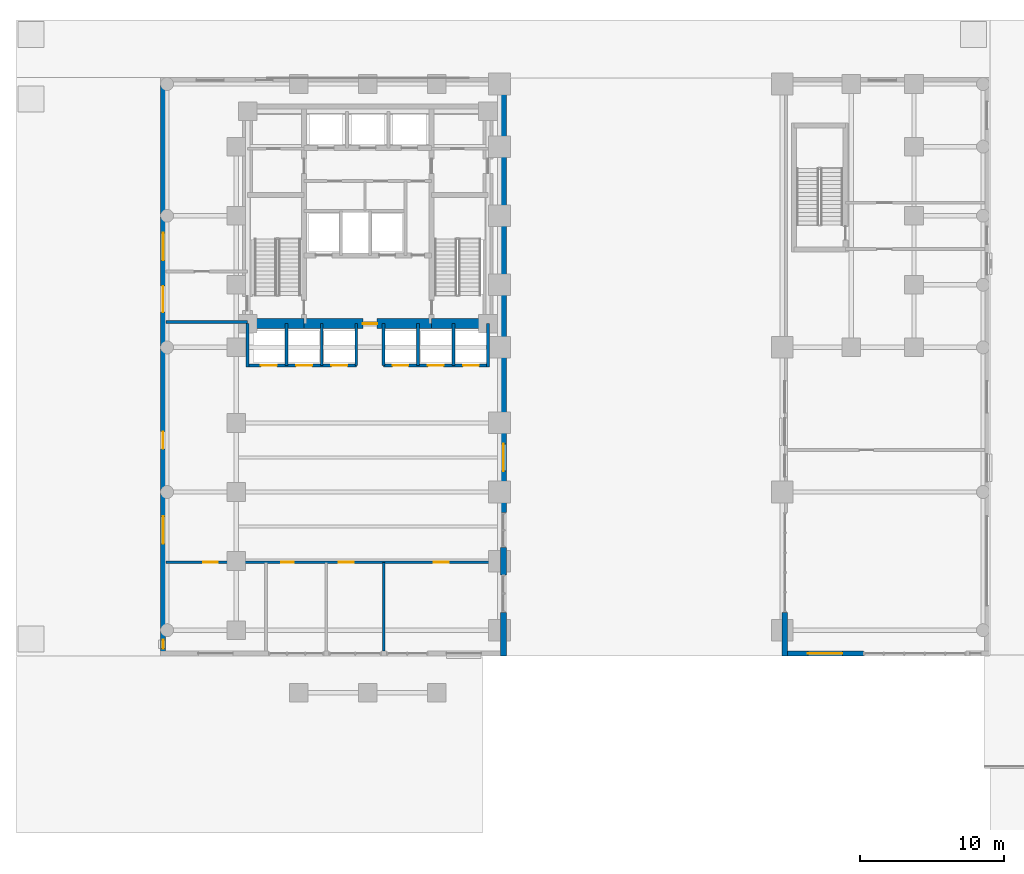
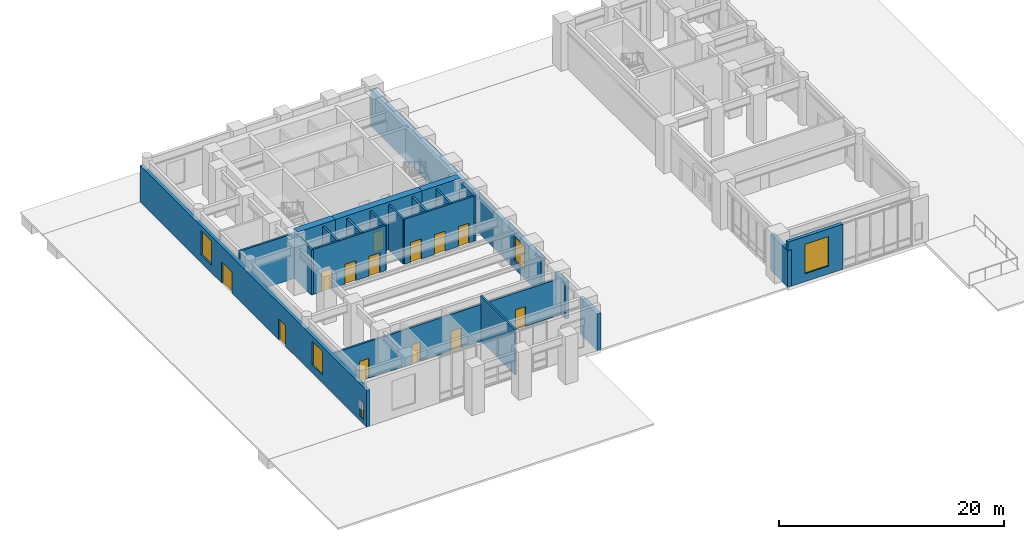
# One storey, part 8 of 16: 22 walls, 13 doors, 5 windows, 18 openings.
"""IFC4 building model written with IfcOpenShell, lengths in metres."""

from ifc_helpers import new_model, si_unit, direction, frame, frame_2d, origin, place, context, subcontext, project, spatial, rectangle, extrude, material, layer, layer_set, type_object, element, fill, save


model = new_model("IFC4")

# Units and contexts
model_context = context("Model", 3, precision=1e-05, world=origin(), true_north=direction((0.0, 1.0)))
body_context = subcontext(model_context, "Body", "Model", "MODEL_VIEW")
ifc_project = project(units=[si_unit("LENGTHUNIT", "METRE"), si_unit("AREAUNIT", "SQUARE_METRE"), si_unit("VOLUMEUNIT", "CUBIC_METRE"), si_unit("PLANEANGLEUNIT", "RADIAN"), si_unit("MASSUNIT", "GRAM", prefix="KILO")], contexts=[model_context])

# Site, building, storey
site_placement = place(None, origin())
site = spatial("IfcSite", under=ifc_project, at=site_placement, CompositionType="ELEMENT")
building_placement = place(site_placement, origin())
building = spatial("IfcBuilding", under=site, at=building_placement, Name="Orvandelia Arch Residences", CompositionType="ELEMENT")
storey_placement = place(building_placement, origin())
storey = spatial("IfcBuildingStorey", under=building, at=storey_placement, Name="L00", CompositionType="ELEMENT", Elevation=0.0)

# Wall, opening, window
ifc_material_1 = material(Name="Precast concrete C40/50", Category="concrete")
ifc_layer_1 = layer(ifc_material_1, 0.39990234375, Name="Precast concrete C40/50", Category="concrete")
ifc_layer_set_1 = layer_set([ifc_layer_1], Name="Precast concrete C40/50")
wall_type_1 = type_object("IfcWallType", Name="WL-ARCH-CHEEK-400", PredefinedType="SOLIDWALL", material=ifc_layer_set_1)
wall_1_placement = place(storey_placement, frame((23.824951171875, 48.0, 0.0), z_axis=(0.0, 0.0, 1.0), x_axis=(0.0, -1.0, 0.0)))
wall_1 = element("IfcWall", 1, at=wall_1_placement, inside=storey, type_object=wall_type_1, Name="Giant Arch Pier Cheek Wall L00-002", PredefinedType="SOLIDWALL", context=body_context, shape_type="SweptSolid", body=[
    extrude(rectangle(XDim=30.239990234375, YDim=0.39990234375, at=frame_2d((15.1201171875, 0.0))), origin(), (0.0, 0.0, 1.0), 3.969970703125),
])
opening_1_placement = place(wall_1_placement, frame((25.449951171875, 0.0, 0.85009765625)))
opening_1 = element("IfcOpeningElement", 2, at=opening_1_placement, cuts=wall_1, Name="Opening W7", PredefinedType="OPENING", context=body_context, shape_type="SweptSolid", body=[
    extrude(rectangle(XDim=1.89990234375, YDim=2.60009765625, at=frame_2d((0.949951171875, 1.300048828125))), frame((0.0, 0.2099609375, 0.0), z_axis=(0.0, -1.0, 0.0), x_axis=(1.0, 0.0, 0.0)), (0.0, 0.0, 1.0), 0.419921875),
])
ifc_material_2 = material(Name="Laminated Acoustic Double Glazing", Category="glass")
window_type_1 = type_object("IfcWindowType", Name="WIN-POD-1900x2600", PartitioningType="SINGLE_PANEL", PredefinedType="WINDOW", material=ifc_material_2)
window_1_placement = place(opening_1_placement, origin())
window_1 = element("IfcWindow", 3, at=window_1_placement, inside=storey, type_object=window_type_1, Name="Recessed Punched Window L00-002", OverallHeight=2.60009765625, OverallWidth=1.89990234375, PartitioningType="SINGLE_PANEL", PredefinedType="WINDOW", context=body_context, shape_type="SweptSolid", body=[
    extrude(rectangle(XDim=1.89990234375, YDim=2.60009765625, at=frame_2d((0.949951171875, 1.300048828125))), frame((0.0, 0.030029296875, 0.0), z_axis=(0.0, -1.0, 0.0), x_axis=(1.0, 0.0, 0.0)), (0.0, 0.0, 1.0), 0.06005859375),
])
fill(opening_1, window_1)

# Walls
wall_2_placement = place(storey_placement, frame((23.824951171875, 15.35009765625, 0.0), z_axis=(0.0, 0.0, 1.0), x_axis=(0.0, -1.0, 0.0)))
element("IfcWall", 4, at=wall_2_placement, inside=storey, type_object=wall_type_1, Name="Giant Arch Pier Cheek Wall L00-003", PredefinedType="SOLIDWALL", context=body_context, shape_type="SweptSolid", body=[
    extrude(rectangle(XDim=1.900146484375, YDim=0.39990234375, at=frame_2d((0.9501953125, 0.0))), origin(), (0.0, 0.0, 1.0), 3.969970703125),
])
for number, where, z_axis, x_axis, name in (
    (5, (23.824951171875, 10.840087890625, 0.0), (0.0, 0.0, 1.0), (0.0, -1.0, 0.0), "Giant Arch Pier Cheek Wall L00-004"),
    (6, (43.375, 7.800048828125, 0.0), (0.0, 0.0, 1.0), (0.0, 1.0, 0.0), "Giant Arch Pier Cheek Wall L00-014"),
):
    element("IfcWall", number, at=place(storey_placement, frame(where, z_axis=z_axis, x_axis=x_axis)), inside=storey, type_object=wall_type_1, Name=name, PredefinedType="SOLIDWALL", context=body_context, shape_type="SweptSolid", body=[
        extrude(rectangle(XDim=3.0400390625, YDim=0.39990234375, at=frame_2d((1.52001953125, 0.0))), origin(), (0.0, 0.0, 1.0), 3.969970703125),
    ])
ifc_material_3 = material(Name="Concrete C80/95", Category="concrete")
ifc_layer_2 = layer(ifc_material_3, 0.699951171875, Name="Concrete C80/95", Category="concrete")
ifc_layer_set_2 = layer_set([ifc_layer_2], Name="Concrete C80/95")
wall_type_2 = type_object("IfcWallType", Name="WL-CORE-700", PredefinedType="SHEAR", material=ifc_layer_set_2)
wall_3_placement = place(storey_placement, frame((6.050048828125, 30.89990234375, 0.0), z_axis=(0.0, 0.0, 1.0), x_axis=(1.0, 0.0, 0.0)))
element("IfcWall", 7, at=wall_3_placement, inside=storey, type_object=wall_type_2, Name="Core Shear Wall L00-SW", PredefinedType="SHEAR", context=body_context, shape_type="SweptSolid", body=[
    extrude(rectangle(XDim=3.909912109375, YDim=0.699951171875, at=frame_2d((1.955078125, 0.0))), origin(), (0.0, 0.0, 1.0), 5.199951171875),
])

# Wall, opening, door
wall_4_placement = place(storey_placement, frame((9.9599609375, 30.89990234375, 0.0), z_axis=(0.0, 0.0, 1.0), x_axis=(1.0, 0.0, 0.0)))
wall_4 = element("IfcWall", 8, at=wall_4_placement, inside=storey, type_object=wall_type_2, Name="Core Shear Wall L00-SM", PredefinedType="SHEAR", context=body_context, shape_type="SweptSolid", body=[
    extrude(rectangle(XDim=8.880126953125, YDim=0.699951171875, at=frame_2d((4.43994140625, 0.0))), origin(), (0.0, 0.0, 1.0), 5.199951171875),
])
opening_2_placement = place(wall_4_placement, frame((4.090087890625, 0.0, 0.0)))
opening_2 = element("IfcOpeningElement", 9, at=opening_2_placement, cuts=wall_4, Name="Opening D6", PredefinedType="OPENING", context=body_context, shape_type="SweptSolid", body=[
    extrude(rectangle(XDim=1.0, YDim=2.14990234375, at=frame_2d((0.5, 1.074951171875))), frame((0.0, 0.35986328125, 0.0), z_axis=(0.0, -1.0, 0.0), x_axis=(1.0, 0.0, 0.0)), (0.0, 0.0, 1.0), 0.719970703125),
])
ifc_material_4 = material(Name="Smokeproof Painted Steel Fire Door", Category="steel")
door_type_1 = type_object("IfcDoorType", Name="DR-FD60-1000", OperationType="NOTDEFINED", PredefinedType="DOOR", material=ifc_material_4)
door_1_placement = place(opening_2_placement, origin())
door_1 = element("IfcDoor", 10, at=door_1_placement, inside=storey, type_object=door_type_1, Name="Firefighting Lobby Smokeproof Door L00", OperationType="SINGLE_SWING_LEFT", OverallHeight=2.14990234375, OverallWidth=1.0, PredefinedType="DOOR", context=body_context, shape_type="SweptSolid", body=[
    extrude(rectangle(XDim=1.0, YDim=2.14990234375, at=frame_2d((0.5, 1.074951171875))), frame((0.0, 0.02490234375, 0.0), z_axis=(0.0, -1.0, 0.0), x_axis=(1.0, 0.0, 0.0)), (0.0, 0.0, 1.0), 0.050048828125),
])
fill(opening_2, door_1)

# Wall
wall_5_placement = place(storey_placement, frame((18.840087890625, 30.89990234375, 0.0), z_axis=(0.0, 0.0, 1.0), x_axis=(1.0, 0.0, 0.0)))
element("IfcWall", 11, at=wall_5_placement, inside=storey, type_object=wall_type_2, Name="Core Shear Wall L00-SE", PredefinedType="SHEAR", context=body_context, shape_type="SweptSolid", body=[
    extrude(rectangle(XDim=3.909912109375, YDim=0.699951171875, at=frame_2d((1.955078125, 0.0))), origin(), (0.0, 0.0, 1.0), 5.199951171875),
])

# Wall, openings, doors
ifc_material_5 = material(Name="Fire-Rated Corridor Partition")
ifc_layer_3 = layer(ifc_material_5, 0.199951171875, Name="Fire-Rated Corridor Partition")
ifc_layer_set_3 = layer_set([ifc_layer_3], Name="Fire-Rated Corridor Partition")
wall_type_3 = type_object("IfcWallType", Name="WL-CORR-200", PredefinedType="PARTITIONING", material=ifc_layer_set_3)
wall_6_placement = place(storey_placement, frame((0.360107421875, 14.320068359375, 0.0), z_axis=(0.0, 0.0, 1.0), x_axis=(1.0, 0.0, 0.0)))
wall_6 = element("IfcWall", 12, at=wall_6_placement, inside=storey, type_object=wall_type_3, Name="Interior Partition Wall WL-L00-FCR-N", PredefinedType="PARTITIONING", context=body_context, shape_type="SweptSolid", body=[
    extrude(rectangle(XDim=23.260009765625, YDim=0.199951171875, at=frame_2d((11.6298828125, 0.0))), origin(), (0.0, 0.0, 1.0), 3.969970703125),
])
opening_3_placement = place(wall_6_placement, frame((2.6201171875, 0.0, 0.0)))
opening_3 = element("IfcOpeningElement", 13, at=opening_3_placement, cuts=wall_6, Name="Opening D6", PredefinedType="OPENING", context=body_context, shape_type="SweptSolid", body=[
    extrude(rectangle(XDim=1.0, YDim=2.14990234375, at=frame_2d((0.5, 1.074951171875))), frame((0.0, 0.10986328125, 0.0), z_axis=(0.0, -1.0, 0.0), x_axis=(1.0, 0.0, 0.0)), (0.0, 0.0, 1.0), 0.219970703125),
])
opening_4_placement = place(wall_6_placement, frame((8.02001953125, 0.0, 0.0)))
opening_4 = element("IfcOpeningElement", 14, at=opening_4_placement, cuts=wall_6, Name="Opening D4", PredefinedType="OPENING", context=body_context, shape_type="SweptSolid", body=[
    extrude(rectangle(XDim=0.860107421875, YDim=2.10009765625, at=frame_2d((0.43017578125, 1.050048828125))), frame((0.0, 0.10986328125, 0.0), z_axis=(0.0, -1.0, 0.0), x_axis=(1.0, 0.0, 0.0)), (0.0, 0.0, 1.0), 0.219970703125),
])
opening_5_placement = place(wall_6_placement, frame((12.02001953125, 0.0, 0.0)))
opening_5 = element("IfcOpeningElement", 15, at=opening_5_placement, cuts=wall_6, Name="Opening D8", PredefinedType="OPENING", context=body_context, shape_type="SweptSolid", body=[
    extrude(rectangle(XDim=1.0400390625, YDim=2.14990234375, at=frame_2d((0.52001953125, 1.074951171875))), frame((0.0, 0.10986328125, 0.0), z_axis=(0.0, -1.0, 0.0), x_axis=(1.0, 0.0, 0.0)), (0.0, 0.0, 1.0), 0.219970703125),
])
opening_6_placement = place(wall_6_placement, frame((18.6201171875, 0.0, 0.0)))
opening_6 = element("IfcOpeningElement", 16, at=opening_6_placement, cuts=wall_6, Name="Opening D8", PredefinedType="OPENING", context=body_context, shape_type="SweptSolid", body=[
    extrude(rectangle(XDim=1.0400390625, YDim=2.14990234375, at=frame_2d((0.52001953125, 1.074951171875))), frame((0.0, 0.10986328125, 0.0), z_axis=(0.0, -1.0, 0.0), x_axis=(1.0, 0.0, 0.0)), (0.0, 0.0, 1.0), 0.219970703125),
])
ifc_material_6 = material(Name="Accessible Wide-Leaf Washroom Door")
door_type_2 = type_object("IfcDoorType", Name="DR-ACC-1040", OperationType="NOTDEFINED", PredefinedType="DOOR", material=ifc_material_6)
door_2_placement = place(opening_5_placement, origin())
door_2 = element("IfcDoor", 17, at=door_2_placement, inside=storey, type_object=door_type_2, Name="DR-L00-WCA", OperationType="SINGLE_SWING_LEFT", OverallHeight=2.14990234375, OverallWidth=1.0400390625, PredefinedType="DOOR", context=body_context, shape_type="SweptSolid", body=[
    extrude(rectangle(XDim=1.0400390625, YDim=2.14990234375, at=frame_2d((0.52001953125, 1.074951171875))), frame((0.0, 0.02490234375, 0.0), z_axis=(0.0, -1.0, 0.0), x_axis=(1.0, 0.0, 0.0)), (0.0, 0.0, 1.0), 0.050048828125),
])
fill(opening_5, door_2)
door_3_placement = place(opening_6_placement, origin())
door_3 = element("IfcDoor", 18, at=door_3_placement, inside=storey, type_object=door_type_2, Name="DR-L00-CONC-IN", OperationType="SINGLE_SWING_LEFT", OverallHeight=2.14990234375, OverallWidth=1.0400390625, PredefinedType="DOOR", context=body_context, shape_type="SweptSolid", body=[
    extrude(rectangle(XDim=1.0400390625, YDim=2.14990234375, at=frame_2d((0.52001953125, 1.074951171875))), frame((0.0, 0.02490234375, 0.0), z_axis=(0.0, -1.0, 0.0), x_axis=(1.0, 0.0, 0.0)), (0.0, 0.0, 1.0), 0.050048828125),
])
fill(opening_6, door_3)
door_4_placement = place(opening_3_placement, origin())
door_4 = element("IfcDoor", 19, at=door_4_placement, inside=storey, type_object=door_type_1, Name="DR-L00-FCR-IN", OperationType="SINGLE_SWING_LEFT", OverallHeight=2.14990234375, OverallWidth=1.0, PredefinedType="DOOR", context=body_context, shape_type="SweptSolid", body=[
    extrude(rectangle(XDim=1.0, YDim=2.14990234375, at=frame_2d((0.5, 1.074951171875))), frame((0.0, 0.02490234375, 0.0), z_axis=(0.0, -1.0, 0.0), x_axis=(1.0, 0.0, 0.0)), (0.0, 0.0, 1.0), 0.050048828125),
])
fill(opening_3, door_4)
ifc_material_7 = material(Name="Moisture-Sealed Timber Bathroom Door", Category="wood")
door_type_3 = type_object("IfcDoorType", Name="DR-WET-900", OperationType="NOTDEFINED", PredefinedType="DOOR", material=ifc_material_7)
door_5_placement = place(opening_4_placement, origin())
door_5 = element("IfcDoor", 20, at=door_5_placement, inside=storey, type_object=door_type_3, Name="DR-L00-WCP", OperationType="SINGLE_SWING_RIGHT", OverallHeight=2.10009765625, OverallWidth=0.860107421875, PredefinedType="DOOR", context=body_context, shape_type="SweptSolid", body=[
    extrude(rectangle(XDim=0.860107421875, YDim=2.10009765625, at=frame_2d((0.43017578125, 1.050048828125))), frame((0.0, 0.02490234375, 0.0), z_axis=(0.0, -1.0, 0.0), x_axis=(1.0, 0.0, 0.0)), (0.0, 0.0, 1.0), 0.050048828125),
])
fill(opening_4, door_5)

# Wall
wall_7_placement = place(storey_placement, frame((0.360107421875, 31.02001953125, 0.0), z_axis=(0.0, 0.0, 1.0), x_axis=(1.0, 0.0, 0.0)))
element("IfcWall", 21, at=wall_7_placement, inside=storey, type_object=wall_type_3, Name="Interior Partition Wall WL-L00-EXP-S", PredefinedType="PARTITIONING", context=body_context, shape_type="SweptSolid", body=[
    extrude(rectangle(XDim=5.68994140625, YDim=0.199951171875, at=frame_2d((2.844970703125, 0.0))), origin(), (0.0, 0.0, 1.0), 4.889892578125),
])

# Wall, openings, doors, windows
ifc_layer_4 = layer(ifc_material_1, 0.35009765625, Name="Precast concrete C40/50", Category="concrete")
ifc_layer_set_4 = layer_set([ifc_layer_4], Name="Precast concrete C40/50")
wall_type_4 = type_object("IfcWallType", Name="WL-EXT-POD-350", PredefinedType="STANDARD", material=ifc_layer_set_4)
wall_8_placement = place(storey_placement, frame((0.175048828125, 7.800048828125, 0.0), z_axis=(0.0, 0.0, 1.0), x_axis=(0.0, 1.0, 0.0)))
wall_8 = element("IfcWall", 22, at=wall_8_placement, inside=storey, type_object=wall_type_4, Name="Coral-Limestone Precast Facade Wall L00-009", PredefinedType="STANDARD", context=body_context, shape_type="SweptSolid", body=[
    extrude(rectangle(XDim=40.199951171875, YDim=0.35009765625, at=frame_2d((20.10009765625, 0.0))), origin(), (0.0, 0.0, 1.0), 3.969970703125),
])
opening_7_placement = place(wall_8_placement, frame((23.89990234375, 0.0, 0.0)))
opening_7 = element("IfcOpeningElement", 23, at=opening_7_placement, cuts=wall_8, Name="Opening ED2", PredefinedType="OPENING", context=body_context, shape_type="SweptSolid", body=[
    extrude(rectangle(XDim=1.800048828125, YDim=2.300048828125, at=frame_2d((0.89990234375, 1.14990234375))), frame((0.0, 0.18505859375, 0.0), z_axis=(0.0, -1.0, 0.0), x_axis=(1.0, 0.0, 0.0)), (0.0, 0.0, 1.0), 0.3701171875),
])
opening_8_placement = place(wall_8_placement, frame((14.39990234375, 0.0, 0.0)))
opening_8 = element("IfcOpeningElement", 24, at=opening_8_placement, cuts=wall_8, Name="Opening ED3", PredefinedType="OPENING", context=body_context, shape_type="SweptSolid", body=[
    extrude(rectangle(XDim=1.199951171875, YDim=2.25, at=frame_2d((0.60009765625, 1.125))), frame((0.0, 0.18505859375, 0.0), z_axis=(0.0, -1.0, 0.0), x_axis=(1.0, 0.0, 0.0)), (0.0, 0.0, 1.0), 0.3701171875),
])
opening_9_placement = place(wall_8_placement, frame((7.800048828125, 0.0, 0.85009765625)))
opening_9 = element("IfcOpeningElement", 25, at=opening_9_placement, cuts=wall_8, Name="Opening W7", PredefinedType="OPENING", context=body_context, shape_type="SweptSolid", body=[
    extrude(rectangle(XDim=1.89990234375, YDim=2.60009765625, at=frame_2d((0.949951171875, 1.300048828125))), frame((0.0, 0.18505859375, 0.0), z_axis=(0.0, -1.0, 0.0), x_axis=(1.0, 0.0, 0.0)), (0.0, 0.0, 1.0), 0.3701171875),
])
opening_10_placement = place(wall_8_placement, frame((0.52490234375, 0.0, 0.449951171875)))
opening_10 = element("IfcOpeningElement", 26, at=opening_10_placement, cuts=wall_8, Name="Opening W12", PredefinedType="OPENING", context=body_context, shape_type="SweptSolid", body=[
    extrude(rectangle(XDim=0.60009765625, YDim=1.800048828125, at=frame_2d((0.300048828125, 0.89990234375))), frame((0.0, 0.18505859375, 0.0), z_axis=(0.0, -1.0, 0.0), x_axis=(1.0, 0.0, 0.0)), (0.0, 0.0, 1.0), 0.3701171875),
])
opening_11_placement = place(wall_8_placement, frame((27.5, 0.0, 0.85009765625)))
opening_11 = element("IfcOpeningElement", 27, at=opening_11_placement, cuts=wall_8, Name="Opening W7", PredefinedType="OPENING", context=body_context, shape_type="SweptSolid", body=[
    extrude(rectangle(XDim=1.89990234375, YDim=2.60009765625, at=frame_2d((0.949951171875, 1.300048828125))), frame((0.0, 0.18505859375, 0.0), z_axis=(0.0, -1.0, 0.0), x_axis=(1.0, 0.0, 0.0)), (0.0, 0.0, 1.0), 0.3701171875),
])
ifc_material_8 = material(Name="Painted Galvanised Steel Leaf", Category="steel")
door_type_4 = type_object("IfcDoorType", Name="DR-EXIT-DBL-1800", OperationType="NOTDEFINED", PredefinedType="DOOR", material=ifc_material_8)
door_6_placement = place(opening_7_placement, origin())
door_6 = element("IfcDoor", 28, at=door_6_placement, inside=storey, type_object=door_type_4, Name="West Stair Discharge Final Exit", OperationType="SINGLE_SWING_LEFT", OverallHeight=2.300048828125, OverallWidth=1.800048828125, PredefinedType="DOOR", context=body_context, shape_type="SweptSolid", body=[
    extrude(rectangle(XDim=1.800048828125, YDim=2.300048828125, at=frame_2d((0.89990234375, 1.14990234375))), frame((0.0, 0.02490234375, 0.0), z_axis=(0.0, -1.0, 0.0), x_axis=(1.0, 0.0, 0.0)), (0.0, 0.0, 1.0), 0.050048828125),
])
fill(opening_7, door_6)
door_type_5 = type_object("IfcDoorType", Name="DR-EXIT-SGL-1200", OperationType="NOTDEFINED", PredefinedType="DOOR", material=ifc_material_8)
door_7_placement = place(opening_8_placement, origin())
door_7 = element("IfcDoor", 29, at=door_7_placement, inside=storey, type_object=door_type_5, Name="West Lobby Secondary Exit", OperationType="SINGLE_SWING_RIGHT", OverallHeight=2.25, OverallWidth=1.199951171875, PredefinedType="DOOR", context=body_context, shape_type="SweptSolid", body=[
    extrude(rectangle(XDim=1.199951171875, YDim=2.25, at=frame_2d((0.60009765625, 1.125))), frame((0.0, 0.02490234375, 0.0), z_axis=(0.0, -1.0, 0.0), x_axis=(1.0, 0.0, 0.0)), (0.0, 0.0, 1.0), 0.050048828125),
])
fill(opening_8, door_7)
ifc_material_9 = material(Name="Tempered Low-E Insulated Glazing", Category="glass")
window_type_2 = type_object("IfcWindowType", Name="WIN-LAN-0600x1800", PartitioningType="SINGLE_PANEL", PredefinedType="WINDOW", material=ifc_material_9)
window_2_placement = place(opening_10_placement, origin())
window_2 = element("IfcWindow", 30, at=window_2_placement, inside=storey, type_object=window_type_2, Name="Recessed Punched Window L00-006", OverallHeight=1.800048828125, OverallWidth=0.60009765625, PartitioningType="SINGLE_PANEL", PredefinedType="WINDOW", context=body_context, shape_type="SweptSolid", body=[
    extrude(rectangle(XDim=0.60009765625, YDim=1.800048828125, at=frame_2d((0.300048828125, 0.89990234375))), frame((0.0, 0.030029296875, 0.0), z_axis=(0.0, -1.0, 0.0), x_axis=(1.0, 0.0, 0.0)), (0.0, 0.0, 1.0), 0.06005859375),
])
fill(opening_10, window_2)
window_3_placement = place(opening_9_placement, origin())
window_3 = element("IfcWindow", 31, at=window_3_placement, inside=storey, type_object=window_type_1, Name="Recessed Punched Window L00-005", OverallHeight=2.60009765625, OverallWidth=1.89990234375, PartitioningType="SINGLE_PANEL", PredefinedType="WINDOW", context=body_context, shape_type="SweptSolid", body=[
    extrude(rectangle(XDim=1.89990234375, YDim=2.60009765625, at=frame_2d((0.949951171875, 1.300048828125))), frame((0.0, 0.030029296875, 0.0), z_axis=(0.0, -1.0, 0.0), x_axis=(1.0, 0.0, 0.0)), (0.0, 0.0, 1.0), 0.06005859375),
])
fill(opening_9, window_3)
window_4_placement = place(opening_11_placement, origin())
window_4 = element("IfcWindow", 32, at=window_4_placement, inside=storey, type_object=window_type_1, Name="Recessed Punched Window L00-007", OverallHeight=2.60009765625, OverallWidth=1.89990234375, PartitioningType="SINGLE_PANEL", PredefinedType="WINDOW", context=body_context, shape_type="SweptSolid", body=[
    extrude(rectangle(XDim=1.89990234375, YDim=2.60009765625, at=frame_2d((0.949951171875, 1.300048828125))), frame((0.0, 0.030029296875, 0.0), z_axis=(0.0, -1.0, 0.0), x_axis=(1.0, 0.0, 0.0)), (0.0, 0.0, 1.0), 0.06005859375),
])
fill(opening_11, window_4)

# Wall, opening, window
wall_9_placement = place(storey_placement, frame((48.840087890625, 7.97509765625, 0.0), z_axis=(0.0, 0.0, 1.0), x_axis=(-1.0, 0.0, 0.0)))
wall_9 = element("IfcWall", 33, at=wall_9_placement, inside=storey, type_object=wall_type_4, Name="Coral-Limestone Precast Facade Wall L00-013", PredefinedType="STANDARD", context=body_context, shape_type="SweptSolid", body=[
    extrude(rectangle(XDim=5.64013671875, YDim=0.35009765625, at=frame_2d((2.820068359375, 0.0))), origin(), (0.0, 0.0, 1.0), 4.889892578125),
])
opening_12_placement = place(wall_9_placement, frame((1.465087890625, 0.0, 0.85009765625)))
opening_12 = element("IfcOpeningElement", 34, at=opening_12_placement, cuts=wall_9, Name="Opening W5", PredefinedType="OPENING", context=body_context, shape_type="SweptSolid", body=[
    extrude(rectangle(XDim=2.39990234375, YDim=3.199951171875, at=frame_2d((1.199951171875, 1.60009765625))), frame((0.0, 0.18505859375, 0.0), z_axis=(0.0, -1.0, 0.0), x_axis=(1.0, 0.0, 0.0)), (0.0, 0.0, 1.0), 0.3701171875),
])
window_type_3 = type_object("IfcWindowType", Name="WIN-POD-2400x3200", PartitioningType="SINGLE_PANEL", PredefinedType="WINDOW", material=ifc_material_2)
window_5_placement = place(opening_12_placement, origin())
window_5 = element("IfcWindow", 35, at=window_5_placement, inside=storey, type_object=window_type_3, Name="Recessed Punched Window L00-014", OverallHeight=3.199951171875, OverallWidth=2.39990234375, PartitioningType="SINGLE_PANEL", PredefinedType="WINDOW", context=body_context, shape_type="SweptSolid", body=[
    extrude(rectangle(XDim=2.39990234375, YDim=3.199951171875, at=frame_2d((1.199951171875, 1.60009765625))), frame((0.0, 0.030029296875, 0.0), z_axis=(0.0, -1.0, 0.0), x_axis=(1.0, 0.0, 0.0)), (0.0, 0.0, 1.0), 0.06005859375),
])
fill(opening_12, window_5)

# Wall, openings, doors
ifc_material_10 = material(Name="Fire-Rated Shaft Enclosure Wall")
ifc_layer_5 = layer(ifc_material_10, 0.199951171875, Name="Fire-Rated Shaft Enclosure Wall")
ifc_layer_set_5 = layer_set([ifc_layer_5], Name="Fire-Rated Shaft Enclosure Wall")
wall_type_5 = type_object("IfcWallType", Name="WL-SHAFT-200", PredefinedType="POLYGONAL", material=ifc_layer_set_5)
wall_10_placement = place(storey_placement, frame((6.050048828125, 28.0, 0.0), z_axis=(0.0, 0.0, 1.0), x_axis=(1.0, 0.0, 0.0)))
wall_10 = element("IfcWall", 36, at=wall_10_placement, inside=storey, type_object=wall_type_5, Name="Interior Partition Wall WL-L00-BNKL-S", PredefinedType="POLYGONAL", context=body_context, shape_type="SweptSolid", body=[
    extrude(rectangle(XDim=7.550048828125, YDim=0.199951171875, at=frame_2d((3.77490234375, 0.0))), origin(), (0.0, 0.0, 1.0), 4.889892578125),
])
opening_13_placement = place(wall_10_placement, frame((0.925048828125, 0.0, 0.0)))
opening_13 = element("IfcOpeningElement", 37, at=opening_13_placement, cuts=wall_10, Name="Opening LD", PredefinedType="OPENING", context=body_context, shape_type="SweptSolid", body=[
    extrude(rectangle(XDim=1.10009765625, YDim=2.14990234375, at=frame_2d((0.550048828125, 1.074951171875))), frame((0.0, 0.10986328125, 0.0), z_axis=(0.0, -1.0, 0.0), x_axis=(1.0, 0.0, 0.0)), (0.0, 0.0, 1.0), 0.219970703125),
])
opening_14_placement = place(wall_10_placement, frame((3.375, 0.0, 0.0)))
opening_14 = element("IfcOpeningElement", 38, at=opening_14_placement, cuts=wall_10, Name="Opening LD", PredefinedType="OPENING", context=body_context, shape_type="SweptSolid", body=[
    extrude(rectangle(XDim=1.10009765625, YDim=2.14990234375, at=frame_2d((0.550048828125, 1.074951171875))), frame((0.0, 0.10986328125, 0.0), z_axis=(0.0, -1.0, 0.0), x_axis=(1.0, 0.0, 0.0)), (0.0, 0.0, 1.0), 0.219970703125),
])
opening_15_placement = place(wall_10_placement, frame((5.824951171875, 0.0, 0.0)))
opening_15 = element("IfcOpeningElement", 39, at=opening_15_placement, cuts=wall_10, Name="Opening LD", PredefinedType="OPENING", context=body_context, shape_type="SweptSolid", body=[
    extrude(rectangle(XDim=1.10009765625, YDim=2.14990234375, at=frame_2d((0.550048828125, 1.074951171875))), frame((0.0, 0.10986328125, 0.0), z_axis=(0.0, -1.0, 0.0), x_axis=(1.0, 0.0, 0.0)), (0.0, 0.0, 1.0), 0.219970703125),
])
ifc_material_11 = material(Name="Brushed Stainless Steel Sliding Lift Door", Category="steel")
door_type_6 = type_object("IfcDoorType", Name="DR-LIFT-1100", OperationType="NOTDEFINED", PredefinedType="DOOR", material=ifc_material_11)
door_8_placement = place(opening_13_placement, origin())
door_8 = element("IfcDoor", 40, at=door_8_placement, inside=storey, type_object=door_type_6, Name="Lift Landing Door LD-PL1", OperationType="SLIDING_TO_LEFT", OverallHeight=2.14990234375, OverallWidth=1.10009765625, PredefinedType="DOOR", context=body_context, shape_type="SweptSolid", body=[
    extrude(rectangle(XDim=1.10009765625, YDim=2.14990234375, at=frame_2d((0.550048828125, 1.074951171875))), frame((0.0, 0.02490234375, 0.0), z_axis=(0.0, -1.0, 0.0), x_axis=(1.0, 0.0, 0.0)), (0.0, 0.0, 1.0), 0.050048828125),
])
fill(opening_13, door_8)
door_9_placement = place(opening_14_placement, origin())
door_9 = element("IfcDoor", 41, at=door_9_placement, inside=storey, type_object=door_type_6, Name="Lift Landing Door LD-PL2", OperationType="SLIDING_TO_RIGHT", OverallHeight=2.14990234375, OverallWidth=1.10009765625, PredefinedType="DOOR", context=body_context, shape_type="SweptSolid", body=[
    extrude(rectangle(XDim=1.10009765625, YDim=2.14990234375, at=frame_2d((0.550048828125, 1.074951171875))), frame((0.0, 0.02490234375, 0.0), z_axis=(0.0, -1.0, 0.0), x_axis=(1.0, 0.0, 0.0)), (0.0, 0.0, 1.0), 0.050048828125),
])
fill(opening_14, door_9)
door_10_placement = place(opening_15_placement, origin())
door_10 = element("IfcDoor", 42, at=door_10_placement, inside=storey, type_object=door_type_6, Name="Lift Landing Door LD-PL3", OperationType="SLIDING_TO_LEFT", OverallHeight=2.14990234375, OverallWidth=1.10009765625, PredefinedType="DOOR", context=body_context, shape_type="SweptSolid", body=[
    extrude(rectangle(XDim=1.10009765625, YDim=2.14990234375, at=frame_2d((0.550048828125, 1.074951171875))), frame((0.0, 0.02490234375, 0.0), z_axis=(0.0, -1.0, 0.0), x_axis=(1.0, 0.0, 0.0)), (0.0, 0.0, 1.0), 0.050048828125),
])
fill(opening_15, door_10)

wall_11_placement = place(storey_placement, frame((15.5, 28.0, 0.0), z_axis=(0.0, 0.0, 1.0), x_axis=(1.0, 0.0, 0.0)))
wall_11 = element("IfcWall", 43, at=wall_11_placement, inside=storey, type_object=wall_type_5, Name="Interior Partition Wall WL-L00-BNKM-S", PredefinedType="POLYGONAL", context=body_context, shape_type="SweptSolid", body=[
    extrude(rectangle(XDim=7.25, YDim=0.199951171875, at=frame_2d((3.625, 0.0))), origin(), (0.0, 0.0, 1.0), 4.889892578125),
])
opening_16_placement = place(wall_11_placement, frame((0.625, 0.0, 0.0)))
opening_16 = element("IfcOpeningElement", 44, at=opening_16_placement, cuts=wall_11, Name="Opening LD", PredefinedType="OPENING", context=body_context, shape_type="SweptSolid", body=[
    extrude(rectangle(XDim=1.10009765625, YDim=2.14990234375, at=frame_2d((0.550048828125, 1.074951171875))), frame((0.0, 0.10986328125, 0.0), z_axis=(0.0, -1.0, 0.0), x_axis=(1.0, 0.0, 0.0)), (0.0, 0.0, 1.0), 0.219970703125),
])
opening_17_placement = place(wall_11_placement, frame((3.074951171875, 0.0, 0.0)))
opening_17 = element("IfcOpeningElement", 45, at=opening_17_placement, cuts=wall_11, Name="Opening LD", PredefinedType="OPENING", context=body_context, shape_type="SweptSolid", body=[
    extrude(rectangle(XDim=1.10009765625, YDim=2.14990234375, at=frame_2d((0.550048828125, 1.074951171875))), frame((0.0, 0.10986328125, 0.0), z_axis=(0.0, -1.0, 0.0), x_axis=(1.0, 0.0, 0.0)), (0.0, 0.0, 1.0), 0.219970703125),
])
opening_18_placement = place(wall_11_placement, frame((5.52490234375, 0.0, 0.0)))
opening_18 = element("IfcOpeningElement", 46, at=opening_18_placement, cuts=wall_11, Name="Opening LD", PredefinedType="OPENING", context=body_context, shape_type="SweptSolid", body=[
    extrude(rectangle(XDim=1.10009765625, YDim=2.14990234375, at=frame_2d((0.550048828125, 1.074951171875))), frame((0.0, 0.10986328125, 0.0), z_axis=(0.0, -1.0, 0.0), x_axis=(1.0, 0.0, 0.0)), (0.0, 0.0, 1.0), 0.219970703125),
])
door_11_placement = place(opening_16_placement, origin())
door_11 = element("IfcDoor", 47, at=door_11_placement, inside=storey, type_object=door_type_6, Name="Lift Landing Door LD-PM1", OperationType="SLIDING_TO_RIGHT", OverallHeight=2.14990234375, OverallWidth=1.10009765625, PredefinedType="DOOR", context=body_context, shape_type="SweptSolid", body=[
    extrude(rectangle(XDim=1.10009765625, YDim=2.14990234375, at=frame_2d((0.550048828125, 1.074951171875))), frame((0.0, 0.02490234375, 0.0), z_axis=(0.0, -1.0, 0.0), x_axis=(1.0, 0.0, 0.0)), (0.0, 0.0, 1.0), 0.050048828125),
])
fill(opening_16, door_11)
door_12_placement = place(opening_17_placement, origin())
door_12 = element("IfcDoor", 48, at=door_12_placement, inside=storey, type_object=door_type_6, Name="Lift Landing Door LD-PM2", OperationType="SLIDING_TO_LEFT", OverallHeight=2.14990234375, OverallWidth=1.10009765625, PredefinedType="DOOR", context=body_context, shape_type="SweptSolid", body=[
    extrude(rectangle(XDim=1.10009765625, YDim=2.14990234375, at=frame_2d((0.550048828125, 1.074951171875))), frame((0.0, 0.02490234375, 0.0), z_axis=(0.0, -1.0, 0.0), x_axis=(1.0, 0.0, 0.0)), (0.0, 0.0, 1.0), 0.050048828125),
])
fill(opening_17, door_12)
door_13_placement = place(opening_18_placement, origin())
door_13 = element("IfcDoor", 49, at=door_13_placement, inside=storey, type_object=door_type_6, Name="Lift Landing Door LD-PM3", OperationType="SLIDING_TO_RIGHT", OverallHeight=2.14990234375, OverallWidth=1.10009765625, PredefinedType="DOOR", context=body_context, shape_type="SweptSolid", body=[
    extrude(rectangle(XDim=1.10009765625, YDim=2.14990234375, at=frame_2d((0.550048828125, 1.074951171875))), frame((0.0, 0.02490234375, 0.0), z_axis=(0.0, -1.0, 0.0), x_axis=(1.0, 0.0, 0.0)), (0.0, 0.0, 1.0), 0.050048828125),
])
fill(opening_18, door_13)

# Walls
for number, where, z_axis, x_axis, name in (
    (50, (6.050048828125, 27.89990234375, 0.0), (0.0, 0.0, 1.0), (0.0, 1.0, 0.0), "Interior Partition Wall WL-L00-BNKL-W"),
    (51, (22.75, 27.89990234375, 0.0), (0.0, 0.0, 1.0), (0.0, 1.0, 0.0), "Interior Partition Wall WL-L00-BNKM-E"),
):
    element("IfcWall", number, at=place(storey_placement, frame(where, z_axis=z_axis, x_axis=x_axis)), inside=storey, type_object=wall_type_5, Name=name, PredefinedType="POLYGONAL", context=body_context, shape_type="SweptSolid", body=[
        extrude(rectangle(XDim=3.0, YDim=0.199951171875, at=frame_2d((1.5, 0.0))), origin(), (0.0, 0.0, 1.0), 4.889892578125),
    ])
for number, where, z_axis, x_axis, name in (
    (52, (13.60009765625, 28.0, 0.0), (0.0, 0.0, 1.0), (0.0, 1.0, 0.0), "Interior Partition Wall WL-L00-BNKL-E"),
    (53, (15.5, 28.0, 0.0), (0.0, 0.0, 1.0), (0.0, 1.0, 0.0), "Interior Partition Wall WL-L00-BNKM-W"),
    (54, (8.75, 28.0, 0.0), (0.0, 0.0, 1.0), (0.0, 1.0, 0.0), "Interior Partition Wall WL-L00-BNKD-875"),
    (55, (11.199951171875, 28.0, 0.0), (0.0, 0.0, 1.0), (0.0, 1.0, 0.0), "Interior Partition Wall WL-L00-BNKD-1120"),
    (56, (17.89990234375, 28.0, 0.0), (0.0, 0.0, 1.0), (0.0, 1.0, 0.0), "Interior Partition Wall WL-L00-BNKD-1789"),
    (57, (20.35009765625, 28.0, 0.0), (0.0, 0.0, 1.0), (0.0, 1.0, 0.0), "Interior Partition Wall WL-L00-BNKD-2035"),
):
    element("IfcWall", number, at=place(storey_placement, frame(where, z_axis=z_axis, x_axis=x_axis)), inside=storey, type_object=wall_type_5, Name=name, PredefinedType="POLYGONAL", context=body_context, shape_type="SweptSolid", body=[
        extrude(rectangle(XDim=2.89990234375, YDim=0.199951171875, at=frame_2d((1.449951171875, 0.0))), origin(), (0.0, 0.0, 1.0), 4.889892578125),
    ])
ifc_material_12 = material(Name="Moisture-Resistant Plumbing Wall")
ifc_layer_6 = layer(ifc_material_12, 0.179931640625, Name="Moisture-Resistant Plumbing Wall")
ifc_layer_set_6 = layer_set([ifc_layer_6], Name="Moisture-Resistant Plumbing Wall")
wall_type_6 = type_object("IfcWallType", Name="WL-WET-180", PredefinedType="PLUMBINGWALL", material=ifc_layer_set_6)
wall_12_placement = place(storey_placement, frame((15.52001953125, 8.159912109375, 0.0), z_axis=(0.0, 0.0, 1.0), x_axis=(0.0, 1.0, 0.0)))
element("IfcWall", 58, at=wall_12_placement, inside=storey, type_object=wall_type_6, Name="Interior Partition Wall WL-L00-WCA-E", PredefinedType="PLUMBINGWALL", context=body_context, shape_type="SweptSolid", body=[
    extrude(rectangle(XDim=6.16015625, YDim=0.179931640625, at=frame_2d((3.080078125, 0.0))), origin(), (0.0, 0.0, 1.0), 4.889892578125),
])

save(model, "model.ifc")
